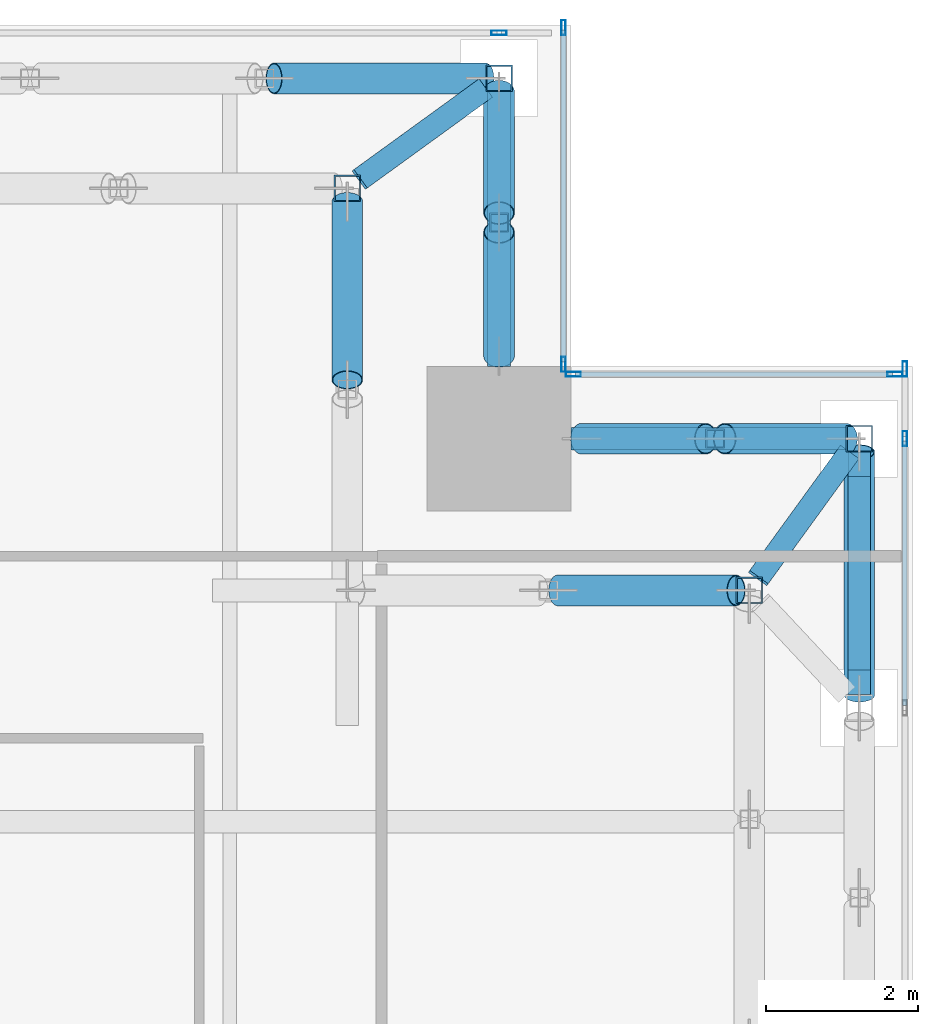
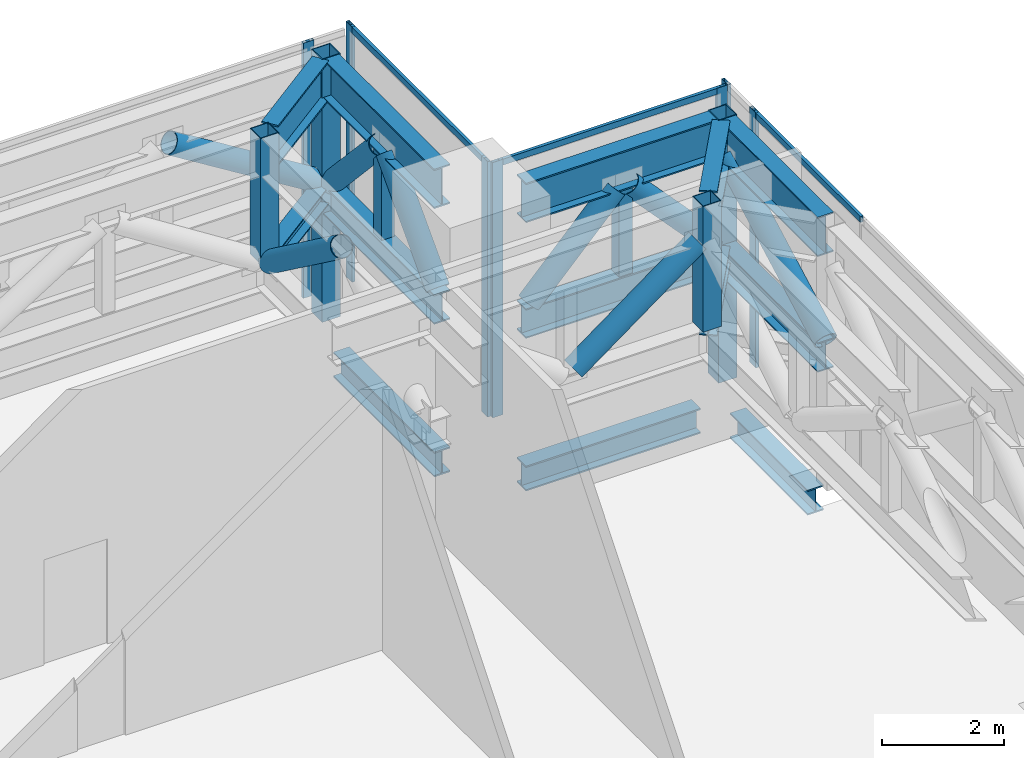
# One storey, part 26 of 36: 30 members, 7 beams, 4 elements without a shape of their own.
"""IFC4 building model written with IfcOpenShell, lengths in metres."""

from ifc_helpers import new_model, si_unit, direction, frame, origin, origin_2d, place, context, subcontext, project, spatial, hollow_rectangle, hollow_circle, i_section, extrude, source, transform, mapped, material, material_profile, profile_set, type_object, element, aggregate, save


model = new_model("IFC4")

# Units and contexts
model_context = context("Model", 3, precision=1e-05, world=origin(), true_north=direction((0.0, 1.0)))
body_context = subcontext(model_context, "Body", "Model", "MODEL_VIEW")
ifc_project = project(units=[si_unit("LENGTHUNIT", "METRE"), si_unit("AREAUNIT", "SQUARE_METRE"), si_unit("VOLUMEUNIT", "CUBIC_METRE"), si_unit("PLANEANGLEUNIT", "RADIAN"), si_unit("MASSUNIT", "GRAM", prefix="KILO")], contexts=[model_context])

# Site, building, storey
site_placement = place(None, origin())
site = spatial("IfcSite", under=ifc_project, at=site_placement, CompositionType="ELEMENT")
building_placement = place(site_placement, origin())
building = spatial("IfcBuilding", under=site, at=building_placement, Name="Khomas Fold Tower", CompositionType="ELEMENT")
storey_placement = place(building_placement, frame((0.0, 0.0, 216.699951171875)))
storey = spatial("IfcBuildingStorey", under=building, at=storey_placement, Name="L48", CompositionType="ELEMENT", Elevation=216.699951171875)

# Beams
ifc_material_1 = material(Name="Steel S355", Category="steel")
ifc_material_profile_1 = material_profile(ifc_material_1, i_section(OverallWidth=0.300048828125, OverallDepth=0.5, WebThickness=0.014404296875, FlangeThickness=0.028076171875, at=origin_2d()), Name="HE 500 B")
ifc_profile_set_1 = profile_set([ifc_material_profile_1], Name="Steel S355")
beam_type_1 = type_object("IfcBeamType", Name="HE 500 B spandrel SB3", PredefinedType="SPANDREL", material=ifc_profile_set_1)
shared_shape_1 = source(origin(), body_context, "Body", "SweptSolid", [
    extrude(i_section(OverallWidth=0.300048828125, OverallDepth=0.5, WebThickness=0.014404296875, FlangeThickness=0.028076171875, at=origin_2d()), origin(), (0.0, 0.0, 1.0), 2.550048828125),
])
beam_placement = place(storey_placement, frame((50.300048828125, 42.5, -0.64990234375), z_axis=(0.0, 1.0, 0.0), x_axis=(-1.0, 0.0, 0.0)))
element("IfcBeam", 1, at=beam_placement, inside=storey, type_object=beam_type_1, Name="SB3", PredefinedType="SPANDREL", context=body_context, shape_type="MappedRepresentation", body=[
    mapped(shared_shape_1, transform((0.0, 0.0, 0.0))),
])
shared_shape_2 = source(origin(), body_context, "Body", "SweptSolid", [
    extrude(i_section(OverallWidth=0.300048828125, OverallDepth=0.5, WebThickness=0.014404296875, FlangeThickness=0.028076171875, at=origin_2d()), origin(), (0.0, 0.0, 1.0), 3.300048828125),
])
for number, where, z_axis, x_axis, name in (
    (2, (46.5, 45.550048828125, -0.64990234375), (1.0, 0.0, 0.0), (0.0, 1.0, 0.0), "SB3"),
    (3, (45.550048828125, 46.5, -0.64990234375), (0.0, 1.0, 0.0), (-1.0, 0.0, 0.0), "SB3"),
):
    element("IfcBeam", number, at=place(storey_placement, frame(where, z_axis=z_axis, x_axis=x_axis)), inside=storey, type_object=beam_type_1, Name=name, PredefinedType="SPANDREL", context=body_context, shape_type="MappedRepresentation", body=[
        mapped(shared_shape_2, transform((0.0, 0.0, 0.0))),
    ])

# Members
ifc_material_2 = material(Name="Steel S355", Category="steel")
ifc_material_profile_2 = material_profile(ifc_material_2, i_section(OverallWidth=0.300048828125, OverallDepth=0.7900390625, WebThickness=0.014892578125, FlangeThickness=0.028076171875, at=origin_2d()), Name="HE 800 A")
ifc_profile_set_2 = profile_set([ifc_material_profile_2], Name="Steel S355")
member_type_1 = type_object("IfcMemberType", Name="BELT TRUSS 3 TOP CHORD SHORT HE 800 A", PredefinedType="CHORD", material=ifc_profile_set_2)
shared_shape_3 = source(origin(), body_context, "Body", "SweptSolid", [
    extrude(i_section(OverallWidth=0.300048828125, OverallDepth=0.7900390625, WebThickness=0.014892578125, FlangeThickness=0.028076171875, at=origin_2d()), origin(), (0.0, 0.0, 1.0), 3.199951171875),
])
member_1_placement = place(storey_placement, frame((50.300048828125, 42.175048828125, 4.85498046875), z_axis=(0.0, 1.0, 0.0), x_axis=(-1.0, 0.0, 0.0)))
element("IfcMember", 4, at=member_1_placement, inside=storey, type_object=member_type_1, Name="BT3-CTS", PredefinedType="CHORD", context=body_context, shape_type="MappedRepresentation", body=[
    mapped(shared_shape_3, transform((0.0, 0.0, 0.0))),
])
ifc_material_3 = material(Name="Steel S355", Category="steel")
ifc_material_profile_3 = material_profile(ifc_material_3, i_section(OverallWidth=0.300048828125, OverallDepth=0.590087890625, WebThickness=0.012939453125, FlangeThickness=0.02490234375, at=origin_2d()), Name="HE 600 A")
ifc_profile_set_3 = profile_set([ifc_material_profile_3], Name="Steel S355")
member_type_2 = type_object("IfcMemberType", Name="BELT TRUSS 3 BOTTOM CHORD SHORT HE 600 A", PredefinedType="CHORD", material=ifc_profile_set_3)
shared_shape_4 = source(origin(), body_context, "Body", "SweptSolid", [
    extrude(i_section(OverallWidth=0.300048828125, OverallDepth=0.590087890625, WebThickness=0.012939453125, FlangeThickness=0.02490234375, at=origin_2d()), origin(), (0.0, 0.0, 1.0), 3.199951171875),
])
member_2_placement = place(storey_placement, frame((50.300048828125, 42.175048828125, 2.445068359375), z_axis=(0.0, 1.0, 0.0), x_axis=(-1.0, 0.0, 0.0)))
element("IfcMember", 5, at=member_2_placement, inside=storey, type_object=member_type_2, Name="BT3-CBS", PredefinedType="CHORD", context=body_context, shape_type="MappedRepresentation", body=[
    mapped(shared_shape_4, transform((0.0, 0.0, 0.0))),
])
ifc_material_4 = material(Name="Steel S355", Category="steel")
ifc_material_profile_4 = material_profile(ifc_material_4, hollow_circle(Radius=0.203125, WallThickness=0.012451171875, at=origin_2d()), Name="CHS 406.4x12.5")
ifc_profile_set_4 = profile_set([ifc_material_profile_4], Name="Steel S355")
member_type_3 = type_object("IfcMemberType", Name="BELT TRUSS 3 DIAGONAL LONG CHS 406.4x12.5", PredefinedType="BRACE", material=ifc_profile_set_4)
shared_shape_5 = source(origin(), body_context, "Body", "SweptSolid", [
    extrude(hollow_circle(Radius=0.203125, WallThickness=0.012451171875, at=origin_2d()), origin(), (0.0, 0.0, 1.0), 3.6376953125),
])
member_3_placement = place(storey_placement, frame((50.300048828125, 42.175048828125, 2.735107421875), z_axis=(0.0, 0.879674642469, 0.475575991191), x_axis=(-1.0, 0.0, 0.0)))
element("IfcMember", 6, at=member_3_placement, inside=storey, type_object=member_type_3, Name="BT3-DL", PredefinedType="BRACE", context=body_context, shape_type="MappedRepresentation", body=[
    mapped(shared_shape_5, transform((0.0, 0.0, 0.0))),
])
ifc_material_5 = material(Name="Steel S355", Category="steel")
ifc_material_profile_5 = material_profile(ifc_material_5, hollow_rectangle(XDim=0.25, YDim=0.25, WallThickness=0.01611328125, at=origin_2d()), Name="SHS 250x250x16")
ifc_profile_set_5 = profile_set([ifc_material_profile_5], Name="Steel S355")
member_type_4 = type_object("IfcMemberType", Name="BELT TRUSS 3 MID POST SHS 250x250x16", PredefinedType="POST", material=ifc_profile_set_5)
shared_shape_6 = source(origin(), body_context, "Body", "SweptSolid", [
    extrude(hollow_rectangle(XDim=0.25, YDim=0.25, WallThickness=0.01611328125, at=origin_2d()), origin(), (0.0, 0.0, 1.0), 1.719970703125),
])
for number, where, z_axis, x_axis, name in (
    (7, (48.39990234375, 45.550048828125, 2.739990234375), (0.0, 0.0, 1.0), (1.0, 0.0, 0.0), "BT3-M"),
    (8, (45.550048828125, 48.39990234375, 2.739990234375), (0.0, 0.0, 1.0), (1.0, 0.0, 0.0), "BT3-M"),
):
    element("IfcMember", number, at=place(storey_placement, frame(where, z_axis=z_axis, x_axis=x_axis)), inside=storey, type_object=member_type_4, Name=name, PredefinedType="POST", context=body_context, shape_type="MappedRepresentation", body=[
        mapped(shared_shape_6, transform((0.0, 0.0, 0.0))),
    ])
ifc_material_6 = material(Name="Steel S355", Category="steel")
ifc_material_profile_6 = material_profile(ifc_material_6, hollow_circle(Radius=0.203125, WallThickness=0.012451171875, at=origin_2d()), Name="CHS 406.4x12.5")
ifc_profile_set_6 = profile_set([ifc_material_profile_6], Name="Steel S355")
member_type_5 = type_object("IfcMemberType", Name="BELT TRUSS 3 DIAGONAL CHS 406.4x12.5", PredefinedType="BRACE", material=ifc_profile_set_6)
shared_shape_7 = source(origin(), body_context, "Body", "SweptSolid", [
    extrude(hollow_circle(Radius=0.203125, WallThickness=0.012451171875, at=origin_2d()), origin(), (0.0, 0.0, 1.0), 3.284423828125),
])
member_4_placement = place(storey_placement, frame((45.375, 50.300048828125, 2.735107421875), z_axis=(-0.850025844971, 0.0, 0.526740982725), x_axis=(0.0, -1.0, 0.0)))
element("IfcMember", 9, at=member_4_placement, inside=storey, type_object=member_type_5, Name="BT3-D", PredefinedType="BRACE", context=body_context, shape_type="MappedRepresentation", body=[
    mapped(shared_shape_7, transform((0.0, 0.0, 0.0))),
])
shared_shape_8 = source(origin(), body_context, "Body", "SweptSolid", [
    extrude(i_section(OverallWidth=0.300048828125, OverallDepth=0.7900390625, WebThickness=0.014892578125, FlangeThickness=0.028076171875, at=origin_2d()), origin(), (0.0, 0.0, 1.0), 3.625),
])
for number, where, z_axis, x_axis, name in (
    (10, (50.125, 45.550048828125, 4.85498046875), (-1.0, 0.0, 0.0), (0.0, -1.0, 0.0), "BT3-CTS"),
    (11, (45.550048828125, 50.125, 4.85498046875), (0.0, -1.0, 0.0), (1.0, 0.0, 0.0), "BT3-CTS"),
):
    element("IfcMember", number, at=place(storey_placement, frame(where, z_axis=z_axis, x_axis=x_axis)), inside=storey, type_object=member_type_1, Name=name, PredefinedType="CHORD", context=body_context, shape_type="MappedRepresentation", body=[
        mapped(shared_shape_8, transform((0.0, 0.0, 0.0))),
    ])
shared_shape_9 = source(origin(), body_context, "Body", "SweptSolid", [
    extrude(i_section(OverallWidth=0.300048828125, OverallDepth=0.590087890625, WebThickness=0.012939453125, FlangeThickness=0.02490234375, at=origin_2d()), origin(), (0.0, 0.0, 1.0), 3.625),
])
for number, where, z_axis, x_axis, name in (
    (12, (50.125, 45.550048828125, 2.445068359375), (-1.0, 0.0, 0.0), (0.0, -1.0, 0.0), "BT3-CBS"),
    (13, (45.550048828125, 50.125, 2.445068359375), (0.0, -1.0, 0.0), (1.0, 0.0, 0.0), "BT3-CBS"),
):
    element("IfcMember", number, at=place(storey_placement, frame(where, z_axis=z_axis, x_axis=x_axis)), inside=storey, type_object=member_type_2, Name=name, PredefinedType="CHORD", context=body_context, shape_type="MappedRepresentation", body=[
        mapped(shared_shape_9, transform((0.0, 0.0, 0.0))),
    ])
shared_shape_10 = source(origin(), body_context, "Body", "SweptSolid", [
    extrude(hollow_circle(Radius=0.203125, WallThickness=0.012451171875, at=origin_2d()), origin(), (0.0, 0.0, 1.0), 2.3564453125),
])
for number, where, z_axis, x_axis, name in (
    (14, (50.125, 45.550048828125, 2.735107421875), (-0.679011273625, 0.0, 0.734127843288), (0.0, -1.0, 0.0), "BT3-D"),
    (15, (45.550048828125, 50.125, 2.735107421875), (0.0, -0.679011273625, 0.734127843288), (1.0, 0.0, 0.0), "BT3-D"),
):
    element("IfcMember", number, at=place(storey_placement, frame(where, z_axis=z_axis, x_axis=x_axis)), inside=storey, type_object=member_type_5, Name=name, PredefinedType="BRACE", context=body_context, shape_type="MappedRepresentation", body=[
        mapped(shared_shape_10, transform((0.0, 0.0, 0.0))),
    ])
shared_shape_11 = source(origin(), body_context, "Body", "SweptSolid", [
    extrude(hollow_circle(Radius=0.203125, WallThickness=0.012451171875, at=origin_2d()), origin(), (0.0, 0.0, 1.0), 2.37939453125),
])
for number, where, z_axis, x_axis, name in (
    (16, (48.27490234375, 45.550048828125, 4.465087890625), (-0.686551218431, 0.0, -0.727081442804), (0.0, -1.0, 0.0), "BT3-D"),
    (17, (45.550048828125, 48.27490234375, 4.465087890625), (0.0, -0.686551218431, -0.727081442804), (1.0, 0.0, 0.0), "BT3-D"),
):
    element("IfcMember", number, at=place(storey_placement, frame(where, z_axis=z_axis, x_axis=x_axis)), inside=storey, type_object=member_type_5, Name=name, PredefinedType="BRACE", context=body_context, shape_type="MappedRepresentation", body=[
        mapped(shared_shape_11, transform((0.0, 0.0, 0.0))),
    ])
shared_shape_12 = source(origin(), body_context, "Body", "SweptSolid", [
    extrude(hollow_circle(Radius=0.203125, WallThickness=0.012451171875, at=origin_2d()), origin(), (0.0, 0.0, 1.0), 2.918212890625),
])
for number, where, z_axis, x_axis, name in (
    (18, (48.675048828125, 43.550048828125, 4.465087890625), (-0.805329117391, 0.0, -0.592827978998), (0.0, -1.0, 0.0), "BT3-D"),
    (19, (43.550048828125, 48.675048828125, 2.735107421875), (0.0, -0.805329117391, 0.592827978998), (1.0, 0.0, 0.0), "BT3-D"),
):
    element("IfcMember", number, at=place(storey_placement, frame(where, z_axis=z_axis, x_axis=x_axis)), inside=storey, type_object=member_type_5, Name=name, PredefinedType="BRACE", context=body_context, shape_type="MappedRepresentation", body=[
        mapped(shared_shape_12, transform((0.0, 0.0, 0.0))),
    ])
ifc_material_7 = material(Name="Steel S355", Category="steel")
ifc_material_profile_7 = material_profile(ifc_material_7, hollow_rectangle(XDim=0.35009765625, YDim=0.35009765625, WallThickness=0.01611328125, at=origin_2d()), Name="SHS 350x350x16")
ifc_profile_set_7 = profile_set([ifc_material_profile_7], Name="Steel S355")
member_type_6 = type_object("IfcMemberType", Name="BELT TRUSS 3 COLUMN POST SHS 350x350x16", PredefinedType="POST", material=ifc_profile_set_7)
shared_shape_13 = source(origin(), body_context, "Body", "SweptSolid", [
    extrude(hollow_rectangle(XDim=0.35009765625, YDim=0.35009765625, WallThickness=0.01611328125, at=origin_2d()), origin(), (0.0, 0.0, 1.0), 5.25),
])
for number, where, z_axis, x_axis, name in (
    (20, (50.300048828125, 45.550048828125, 0.0), (0.0, 0.0, 1.0), (1.0, 0.0, 0.0), "BT3-P"),
    (21, (45.550048828125, 50.300048828125, 0.0), (0.0, 0.0, 1.0), (1.0, 0.0, 0.0), "BT3-P"),
):
    element("IfcMember", number, at=place(storey_placement, frame(where, z_axis=z_axis, x_axis=x_axis)), inside=storey, type_object=member_type_6, Name=name, PredefinedType="POST", context=body_context, shape_type="MappedRepresentation", body=[
        mapped(shared_shape_13, transform((0.0, 0.0, 0.0))),
    ])
ifc_material_8 = material(Name="Steel S355", Category="steel")
ifc_material_profile_8 = material_profile(ifc_material_8, hollow_rectangle(XDim=0.35009765625, YDim=0.35009765625, WallThickness=0.01611328125, at=origin_2d()), Name="SHS 350x350x16")
ifc_profile_set_8 = profile_set([ifc_material_profile_8], Name="Steel S355")
member_type_7 = type_object("IfcMemberType", Name="BELT TRUSS 3 COLUMN POST SHORT SHS 350x350x16", PredefinedType="POST", material=ifc_profile_set_8)
shared_shape_14 = source(origin(), body_context, "Body", "SweptSolid", [
    extrude(hollow_rectangle(XDim=0.35009765625, YDim=0.35009765625, WallThickness=0.01611328125, at=origin_2d()), origin(), (0.0, 0.0, 1.0), 2.510009765625),
])
for number, where, z_axis, x_axis, name in (
    (22, (48.85009765625, 43.550048828125, 2.739990234375), (0.0, 0.0, 1.0), (1.0, 0.0, 0.0), "BT3-PS"),
    (23, (43.550048828125, 48.85009765625, 2.739990234375), (0.0, 0.0, 1.0), (1.0, 0.0, 0.0), "BT3-PS"),
):
    element("IfcMember", number, at=place(storey_placement, frame(where, z_axis=z_axis, x_axis=x_axis)), inside=storey, type_object=member_type_7, Name=name, PredefinedType="POST", context=body_context, shape_type="MappedRepresentation", body=[
        mapped(shared_shape_14, transform((0.0, 0.0, 0.0))),
    ])

# Beams
ifc_material_9 = material(Name="Steel S460M", Category="steel")
ifc_material_profile_9 = material_profile(ifc_material_9, i_section(OverallWidth=0.300048828125, OverallDepth=0.800048828125, WebThickness=0.017578125, FlangeThickness=0.032958984375, at=origin_2d()), Name="HE 800 B")
ifc_profile_set_9 = profile_set([ifc_material_profile_9], Name="Steel S460M")
beam_type_2 = type_object("IfcBeamType", Name="BELT TRUSS 3 TOP TRANSFER STRUT HE 800 B", PredefinedType="BEAM", material=ifc_profile_set_9)
shared_shape_15 = source(origin(), body_context, "Body", "SweptSolid", [
    extrude(i_section(OverallWidth=0.300048828125, OverallDepth=0.800048828125, WebThickness=0.017578125, FlangeThickness=0.032958984375, at=origin_2d()), origin(), (0.0, 0.0, 1.0), 2.037841796875),
])
for number, where, z_axis, x_axis, name in (
    (24, (43.72509765625, 48.976806640625, 4.85009765625), (0.809584824525, 0.58700290621, 0.0), (-0.58700290621, 0.809584824525, 0.0), "BT3-STD"),
    (25, (48.976806640625, 43.72509765625, 4.85009765625), (0.58700290621, 0.809584824525, 0.0), (-0.809584824525, 0.58700290621, 0.0), "BT3-STD"),
):
    element("IfcBeam", number, at=place(storey_placement, frame(where, z_axis=z_axis, x_axis=x_axis)), inside=storey, type_object=beam_type_2, Name=name, PredefinedType="BEAM", context=body_context, shape_type="MappedRepresentation", body=[
        mapped(shared_shape_15, transform((0.0, 0.0, 0.0))),
    ])
ifc_material_10 = material(Name="Steel S355", Category="steel")
ifc_material_profile_10 = material_profile(ifc_material_10, i_section(OverallWidth=0.300048828125, OverallDepth=0.360107421875, WebThickness=0.012451171875, FlangeThickness=0.0224609375, at=origin_2d()), Name="HE 360 B")
ifc_profile_set_10 = profile_set([ifc_material_profile_10], Name="Steel S355")
beam_type_3 = type_object("IfcBeamType", Name="BELT TRUSS 3 BOTTOM STRUT LONG HE 360 B", PredefinedType="BEAM", material=ifc_profile_set_10)
shared_shape_16 = source(origin(), body_context, "Body", "SweptSolid", [
    extrude(i_section(OverallWidth=0.300048828125, OverallDepth=0.360107421875, WebThickness=0.012451171875, FlangeThickness=0.0224609375, at=origin_2d()), origin(), (0.0, 0.0, 1.0), 2.06884765625),
])
for number, where, z_axis, x_axis, name in (
    (26, (43.699951171875, 48.958740234375, 2.56005859375), (0.809623060558, 0.586950168083, 0.0), (-0.586950168083, 0.809623060558, 0.0), "BT3-SBL"),
    (27, (48.958740234375, 43.699951171875, 2.56005859375), (0.586950168083, 0.809623060558, 0.0), (-0.809623060558, 0.586950168083, 0.0), "BT3-SBL"),
):
    element("IfcBeam", number, at=place(storey_placement, frame(where, z_axis=z_axis, x_axis=x_axis)), inside=storey, type_object=beam_type_3, Name=name, PredefinedType="BEAM", context=body_context, shape_type="MappedRepresentation", body=[
        mapped(shared_shape_16, transform((0.0, 0.0, 0.0))),
    ])

# Curtain wall, members
ifc_material_11 = material(Name="Aluminium framed double glazing", Category="aluminium")
curtain_wall_type = type_object("IfcCurtainWallType", Name="SK-Plant louvre wall CW4", PredefinedType="NOTDEFINED", material=ifc_material_11)
curtain_wall_1_placement = place(storey_placement, origin())
curtain_wall_1 = element("IfcCurtainWall", 28, at=curtain_wall_1_placement, inside=storey, type_object=curtain_wall_type, Name="CW4 run L48 03-0", PredefinedType="NOTDEFINED")
ifc_material_12 = material(Name="Aluminium", Category="aluminium")
ifc_material_profile_11 = material_profile(ifc_material_12, hollow_rectangle(XDim=0.06005859375, YDim=0.199951171875, WallThickness=0.00390625, at=origin_2d()), Name="SK-Plant louvre wall mullion CW4-M")
ifc_profile_set_11 = profile_set([ifc_material_profile_11], Name="Aluminium")
member_type_8 = type_object("IfcMemberType", Name="SK-Plant louvre wall mullion CW4-M", PredefinedType="MULLION", material=ifc_profile_set_11)
shared_shape_17 = source(origin(), body_context, "Body", "SweptSolid", [
    extrude(hollow_rectangle(XDim=0.06005859375, YDim=0.199951171875, WallThickness=0.00390625, at=origin_2d()), origin(), (0.0, 0.0, 1.0), 5.10009765625),
])
member_5_placement = place(storey_placement, frame((50.89990234375, 45.550048828125, 0.0), z_axis=(0.0, 0.0, 1.0), x_axis=(-1.0, 0.0, 0.0)))
member_5 = element("IfcMember", 29, at=member_5_placement, type_object=member_type_8, Name="CW4 mullion 8", PredefinedType="MULLION", context=body_context, shape_type="MappedRepresentation", body=[
    mapped(shared_shape_17, transform((0.0, 0.0, 0.0))),
])
member_6_placement = place(storey_placement, frame((50.89990234375, 46.469970703125, 0.0), z_axis=(0.0, 0.0, 1.0), x_axis=(-1.0, 0.0, 0.0)))
member_6 = element("IfcMember", 30, at=member_6_placement, type_object=member_type_8, Name="CW4 mullion 9", PredefinedType="MULLION", context=body_context, shape_type="MappedRepresentation", body=[
    mapped(shared_shape_17, transform((0.0, 0.0, 0.0))),
])

curtain_wall_2_placement = place(storey_placement, origin())
curtain_wall_2 = element("IfcCurtainWall", 31, at=curtain_wall_2_placement, inside=storey, type_object=curtain_wall_type, Name="CW4 corner return L48 04", PredefinedType="NOTDEFINED")
member_7_placement = place(storey_placement, frame((50.77001953125, 46.39990234375, 0.0), z_axis=(0.0, 0.0, 1.0), x_axis=(0.0, -1.0, 0.0)))
member_7 = element("IfcMember", 32, at=member_7_placement, type_object=member_type_8, Name="CW4 mullion 1", PredefinedType="MULLION", context=body_context, shape_type="MappedRepresentation", body=[
    mapped(shared_shape_17, transform((0.0, 0.0, 0.0))),
])
member_8_placement = place(storey_placement, frame((46.530029296875, 46.39990234375, 0.0), z_axis=(0.0, 0.0, 1.0), x_axis=(0.0, -1.0, 0.0)))
member_8 = element("IfcMember", 33, at=member_8_placement, type_object=member_type_8, Name="CW4 mullion 2", PredefinedType="MULLION", context=body_context, shape_type="MappedRepresentation", body=[
    mapped(shared_shape_17, transform((0.0, 0.0, 0.0))),
])

curtain_wall_3_placement = place(storey_placement, origin())
curtain_wall_3 = element("IfcCurtainWall", 34, at=curtain_wall_3_placement, inside=storey, type_object=curtain_wall_type, Name="CW4 corner return L48 05", PredefinedType="NOTDEFINED")
member_9_placement = place(storey_placement, frame((46.39990234375, 46.530029296875, 0.0), z_axis=(0.0, 0.0, 1.0), x_axis=(-1.0, 0.0, 0.0)))
member_9 = element("IfcMember", 35, at=member_9_placement, type_object=member_type_8, Name="CW4 mullion 1", PredefinedType="MULLION", context=body_context, shape_type="MappedRepresentation", body=[
    mapped(shared_shape_17, transform((0.0, 0.0, 0.0))),
])
member_10_placement = place(storey_placement, frame((46.39990234375, 50.969970703125, 0.0), z_axis=(0.0, 0.0, 1.0), x_axis=(-1.0, 0.0, 0.0)))
member_10 = element("IfcMember", 36, at=member_10_placement, type_object=member_type_8, Name="CW4 mullion 2", PredefinedType="MULLION", context=body_context, shape_type="MappedRepresentation", body=[
    mapped(shared_shape_17, transform((0.0, 0.0, 0.0))),
])

# Curtain wall, member
curtain_wall_4_placement = place(storey_placement, origin())
curtain_wall_4 = element("IfcCurtainWall", 37, at=curtain_wall_4_placement, inside=storey, type_object=curtain_wall_type, Name="CW4 run L48 06-0", PredefinedType="NOTDEFINED")
member_11_placement = place(storey_placement, frame((45.550048828125, 50.89990234375, 0.0), z_axis=(0.0, 0.0, 1.0), x_axis=(0.0, -1.0, 0.0)))
member_11 = element("IfcMember", 38, at=member_11_placement, type_object=member_type_8, Name="CW4 mullion 2", PredefinedType="MULLION", context=body_context, shape_type="MappedRepresentation", body=[
    mapped(shared_shape_17, transform((0.0, 0.0, 0.0))),
])
aggregate(curtain_wall_4, [member_11])

# Member
ifc_material_13 = material(Name="Aluminium", Category="aluminium")
ifc_material_profile_12 = material_profile(ifc_material_13, hollow_rectangle(XDim=0.06005859375, YDim=0.1201171875, WallThickness=0.00390625, at=origin_2d()), Name="SK-Plant louvre wall transom CW4-T")
ifc_profile_set_12 = profile_set([ifc_material_profile_12], Name="Aluminium")
member_type_9 = type_object("IfcMemberType", Name="SK-Plant louvre wall transom CW4-T", PredefinedType="USERDEFINED", material=ifc_profile_set_12)
shared_shape_18 = source(origin(), body_context, "Body", "SweptSolid", [
    extrude(hollow_rectangle(XDim=0.06005859375, YDim=0.1201171875, WallThickness=0.00390625, at=origin_2d()), origin(), (0.0, 0.0, 1.0), 3.489990234375),
])
member_12_placement = place(storey_placement, frame((50.89990234375, 42.030029296875, 5.0400390625), z_axis=(0.0, 1.0, 0.0), x_axis=(-1.0, 0.0, 0.0)))
member_12 = element("IfcMember", 39, at=member_12_placement, type_object=member_type_9, Name="CW4 transom 7", ObjectType="TRANSOM", PredefinedType="USERDEFINED", context=body_context, shape_type="MappedRepresentation", body=[
    mapped(shared_shape_18, transform((0.0, 0.0, 0.0))),
])

aggregate(curtain_wall_1, [member_5, member_6, member_12])

shared_shape_19 = source(origin(), body_context, "Body", "SweptSolid", [
    extrude(hollow_rectangle(XDim=0.06005859375, YDim=0.1201171875, WallThickness=0.00390625, at=origin_2d()), origin(), (0.0, 0.0, 1.0), 4.179931640625),
])
member_13_placement = place(storey_placement, frame((50.739990234375, 46.39990234375, 5.0400390625), z_axis=(-1.0, 0.0, 0.0), x_axis=(0.0, -1.0, 0.0)))
member_13 = element("IfcMember", 40, at=member_13_placement, type_object=member_type_9, Name="CW4 transom 1", ObjectType="TRANSOM", PredefinedType="USERDEFINED", context=body_context, shape_type="MappedRepresentation", body=[
    mapped(shared_shape_19, transform((0.0, 0.0, 0.0))),
])

aggregate(curtain_wall_2, [member_7, member_8, member_13])

shared_shape_20 = source(origin(), body_context, "Body", "SweptSolid", [
    extrude(hollow_rectangle(XDim=0.06005859375, YDim=0.1201171875, WallThickness=0.00390625, at=origin_2d()), origin(), (0.0, 0.0, 1.0), 4.3798828125),
])
member_14_placement = place(storey_placement, frame((46.39990234375, 46.56005859375, 5.0400390625), z_axis=(0.0, 1.0, 0.0), x_axis=(-1.0, 0.0, 0.0)))
member_14 = element("IfcMember", 41, at=member_14_placement, type_object=member_type_9, Name="CW4 transom 1", ObjectType="TRANSOM", PredefinedType="USERDEFINED", context=body_context, shape_type="MappedRepresentation", body=[
    mapped(shared_shape_20, transform((0.0, 0.0, 0.0))),
])

aggregate(curtain_wall_3, [member_9, member_10, member_14])

save(model, "model.ifc")
